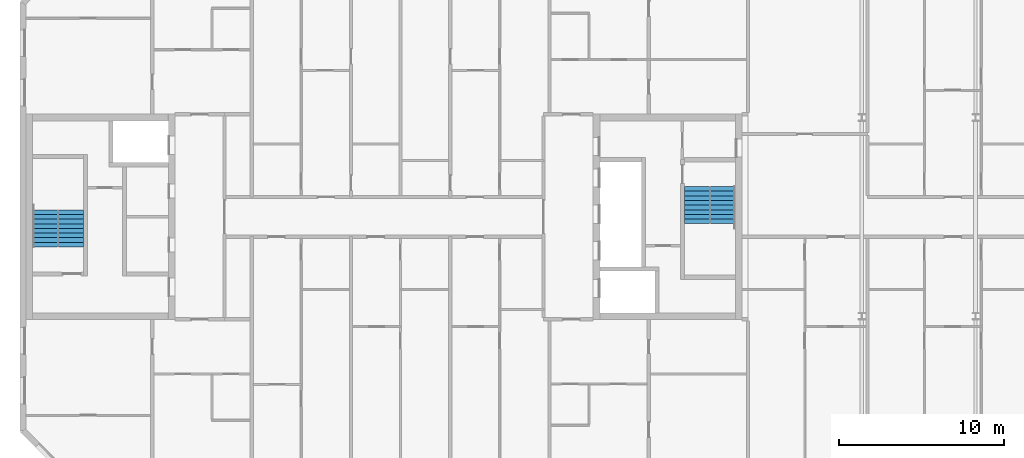
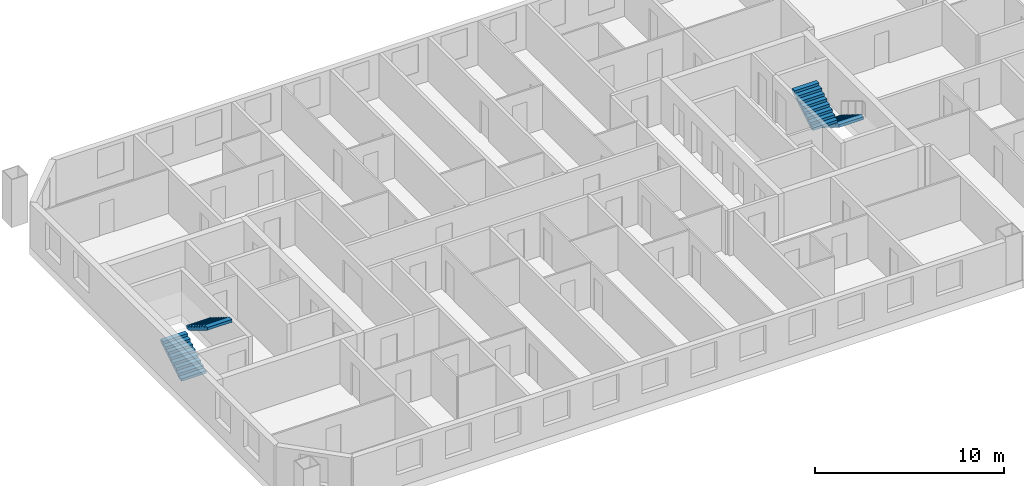
# One storey, part 18 of 19: 4 stair flights, 2 elements without a shape of their own.
"""IFC4 building model written with IfcOpenShell, lengths in metres."""

from ifc_helpers import new_model, si_unit, direction, frame, origin, place, context, subcontext, project, spatial, faceted_brep, material, type_object, element, aggregate, save


model = new_model("IFC4")

# Units and contexts
model_context = context("Model", 3, precision=1e-05, world=origin(), true_north=direction((0.0, 1.0)))
body_context = subcontext(model_context, "Body", "Model", "MODEL_VIEW")
ifc_project = project(units=[si_unit("LENGTHUNIT", "METRE"), si_unit("AREAUNIT", "SQUARE_METRE"), si_unit("VOLUMEUNIT", "CUBIC_METRE"), si_unit("PLANEANGLEUNIT", "RADIAN"), si_unit("MASSUNIT", "GRAM", prefix="KILO")], contexts=[model_context])

# Site, building, storey
site_placement = place(None, origin())
site = spatial("IfcSite", under=ifc_project, at=site_placement, CompositionType="ELEMENT")
building_placement = place(site_placement, origin())
building = spatial("IfcBuilding", under=site, at=building_placement, Name="Tuart Gate Housing", CompositionType="ELEMENT")
storey_placement = place(building_placement, frame((0.0, 0.0, 202.800048828125)))
storey = spatial("IfcBuildingStorey", under=building, at=storey_placement, Name="L57", CompositionType="ELEMENT", Elevation=202.800048828125)

# Stair, stair flights
ifc_material_1 = material(Name="Concrete C40", Category="concrete")
stair_type = type_object("IfcStairType", Name="Core stair 1500", PredefinedType="HALF_TURN_STAIR", material=ifc_material_1)
stair_1_placement = place(storey_placement, origin())
stair_1 = element("IfcStair", 1, at=stair_1_placement, inside=storey, type_object=stair_type, Name="Stair SA1", PredefinedType="HALF_TURN_STAIR")
ifc_material_2 = material(Name="Concrete C40", Category="concrete")
stair_flight_type = type_object("IfcStairFlightType", Name="Stair flight 1500, 9 risers 172 x 280", PredefinedType="STRAIGHT", material=ifc_material_2)
stair_flight_1_placement = place(storey_placement, frame((74.489990234375, 71.824951171875, 0.0), z_axis=(0.0, 0.0, 1.0), x_axis=(0.0, -1.0, 0.0)))
stair_flight_1 = element("IfcStairFlight", 2, at=stair_flight_1_placement, type_object=stair_flight_type, Name="SA1 flight 1", NumberOfRisers=9, NumberOfTreads=8, PredefinedType="STRAIGHT", RiserHeight=0.172222222, TreadLength=0.28, context=body_context, shape_type="Brep", body=[
    faceted_brep([(0.0, 0.75, 0.0), (0.0, 0.75, 0.172119140625), (0.280029296875, 0.75, 0.172119140625), (0.280029296875, 0.75, 0.344482421875), (0.56005859375, 0.75, 0.344482421875), (0.56005859375, 0.75, 0.5166015625), (0.840087890625, 0.75, 0.5166015625), (0.840087890625, 0.75, 0.68896484375), (1.1201171875, 0.75, 0.68896484375), (1.1201171875, 0.75, 0.861083984375), (1.39990234375, 0.75, 0.861083984375), (1.39990234375, 0.75, 1.033447265625), (1.679931640625, 0.75, 1.033447265625), (1.679931640625, 0.75, 1.20556640625), (1.9599609375, 0.75, 1.20556640625), (1.9599609375, 0.75, 1.377685546875), (2.239990234375, 0.75, 1.377685546875), (2.239990234375, 0.75, 1.201904296875), (0.2861328125, 0.75, 0.0), (0.2861328125, -0.75, 0.0), (2.239990234375, -0.75, 1.201904296875), (2.239990234375, -0.75, 1.377685546875), (1.9599609375, -0.75, 1.377685546875), (1.9599609375, -0.75, 1.20556640625), (1.679931640625, -0.75, 1.20556640625), (1.679931640625, -0.75, 1.033447265625), (1.39990234375, -0.75, 1.033447265625), (1.39990234375, -0.75, 0.861083984375), (1.1201171875, -0.75, 0.861083984375), (1.1201171875, -0.75, 0.68896484375), (0.840087890625, -0.75, 0.68896484375), (0.840087890625, -0.75, 0.5166015625), (0.56005859375, -0.75, 0.5166015625), (0.56005859375, -0.75, 0.344482421875), (0.280029296875, -0.75, 0.344482421875), (0.280029296875, -0.75, 0.172119140625), (0.0, -0.75, 0.172119140625), (0.0, -0.75, 0.0), (2.239990234375, 0.0, 1.201904296875), (0.2861328125, 0.0, 0.0), (2.239990234375, 0.0, 1.377685546875), (1.9599609375, 0.0, 1.377685546875), (1.9599609375, 0.0, 1.20556640625), (1.679931640625, 0.0, 1.20556640625), (1.679931640625, 0.0, 1.033447265625), (1.39990234375, 0.0, 1.033447265625), (1.39990234375, 0.0, 0.861083984375), (1.1201171875, 0.0, 0.861083984375), (1.1201171875, 0.0, 0.68896484375), (0.840087890625, 0.0, 0.68896484375), (0.840087890625, 0.0, 0.5166015625), (0.56005859375, 0.0, 0.5166015625), (0.56005859375, 0.0, 0.344482421875), (0.280029296875, 0.0, 0.344482421875), (0.280029296875, 0.0, 0.172119140625), (0.0, 0.0, 0.172119140625), (0.0, 0.0, 0.0)], [[[0, 1, 2, 3, 4, 5, 6, 7, 8, 9, 10, 11, 12, 13, 14, 15, 16, 17, 18]], [[19, 20, 21, 22, 23, 24, 25, 26, 27, 28, 29, 30, 31, 32, 33, 34, 35, 36, 37]], [[18, 17, 38, 39]], [[39, 38, 20, 19]], [[17, 16, 40, 38]], [[38, 40, 21, 20]], [[16, 15, 41, 40]], [[40, 41, 22, 21]], [[15, 14, 42, 41]], [[41, 42, 23, 22]], [[14, 13, 43, 42]], [[42, 43, 24, 23]], [[13, 12, 44, 43]], [[43, 44, 25, 24]], [[12, 11, 45, 44]], [[44, 45, 26, 25]], [[11, 10, 46, 45]], [[45, 46, 27, 26]], [[10, 9, 47, 46]], [[46, 47, 28, 27]], [[9, 8, 48, 47]], [[47, 48, 29, 28]], [[8, 7, 49, 48]], [[48, 49, 30, 29]], [[7, 6, 50, 49]], [[49, 50, 31, 30]], [[6, 5, 51, 50]], [[50, 51, 32, 31]], [[5, 4, 52, 51]], [[51, 52, 33, 32]], [[4, 3, 53, 52]], [[52, 53, 34, 33]], [[3, 2, 54, 53]], [[53, 54, 35, 34]], [[2, 1, 55, 54]], [[54, 55, 36, 35]], [[1, 0, 56, 55]], [[55, 56, 37, 36]], [[0, 18, 39, 56]], [[56, 39, 19, 37]]]),
])
stair_flight_2_placement = place(storey_placement, frame((72.9150390625, 69.5849609375, 1.550048828125), z_axis=(0.0, 0.0, 1.0), x_axis=(0.0, 1.0, 0.0)))
stair_flight_2 = element("IfcStairFlight", 3, at=stair_flight_2_placement, type_object=stair_flight_type, Name="SA1 flight 2", NumberOfRisers=9, NumberOfTreads=8, PredefinedType="STRAIGHT", RiserHeight=0.172222222, TreadLength=0.28, context=body_context, shape_type="Brep", body=[
    faceted_brep([(0.0, 0.75, 0.0), (0.0, 0.75, 0.172119140625), (0.280029296875, 0.75, 0.172119140625), (0.280029296875, 0.75, 0.344482421875), (0.56005859375, 0.75, 0.344482421875), (0.56005859375, 0.75, 0.5166015625), (0.840087890625, 0.75, 0.5166015625), (0.840087890625, 0.75, 0.68896484375), (1.1201171875, 0.75, 0.68896484375), (1.1201171875, 0.75, 0.861083984375), (1.39990234375, 0.75, 0.861083984375), (1.39990234375, 0.75, 1.033447265625), (1.679931640625, 0.75, 1.033447265625), (1.679931640625, 0.75, 1.20556640625), (1.9599609375, 0.75, 1.20556640625), (1.9599609375, 0.75, 1.377685546875), (2.239990234375, 0.75, 1.377685546875), (2.239990234375, 0.75, 1.201904296875), (0.2861328125, 0.75, 0.0), (0.2861328125, -0.75, 0.0), (2.239990234375, -0.75, 1.201904296875), (2.239990234375, -0.75, 1.377685546875), (1.9599609375, -0.75, 1.377685546875), (1.9599609375, -0.75, 1.20556640625), (1.679931640625, -0.75, 1.20556640625), (1.679931640625, -0.75, 1.033447265625), (1.39990234375, -0.75, 1.033447265625), (1.39990234375, -0.75, 0.861083984375), (1.1201171875, -0.75, 0.861083984375), (1.1201171875, -0.75, 0.68896484375), (0.840087890625, -0.75, 0.68896484375), (0.840087890625, -0.75, 0.5166015625), (0.56005859375, -0.75, 0.5166015625), (0.56005859375, -0.75, 0.344482421875), (0.280029296875, -0.75, 0.344482421875), (0.280029296875, -0.75, 0.172119140625), (0.0, -0.75, 0.172119140625), (0.0, -0.75, 0.0), (2.239990234375, 0.0, 1.201904296875), (0.2861328125, 0.0, 0.0), (2.239990234375, 0.0, 1.377685546875), (1.9599609375, 0.0, 1.377685546875), (1.9599609375, 0.0, 1.20556640625), (1.679931640625, 0.0, 1.20556640625), (1.679931640625, 0.0, 1.033447265625), (1.39990234375, 0.0, 1.033447265625), (1.39990234375, 0.0, 0.861083984375), (1.1201171875, 0.0, 0.861083984375), (1.1201171875, 0.0, 0.68896484375), (0.840087890625, 0.0, 0.68896484375), (0.840087890625, 0.0, 0.5166015625), (0.56005859375, 0.0, 0.5166015625), (0.56005859375, 0.0, 0.344482421875), (0.280029296875, 0.0, 0.344482421875), (0.280029296875, 0.0, 0.172119140625), (0.0, 0.0, 0.172119140625), (0.0, 0.0, 0.0)], [[[0, 1, 2, 3, 4, 5, 6, 7, 8, 9, 10, 11, 12, 13, 14, 15, 16, 17, 18]], [[19, 20, 21, 22, 23, 24, 25, 26, 27, 28, 29, 30, 31, 32, 33, 34, 35, 36, 37]], [[18, 17, 38, 39]], [[39, 38, 20, 19]], [[17, 16, 40, 38]], [[38, 40, 21, 20]], [[16, 15, 41, 40]], [[40, 41, 22, 21]], [[15, 14, 42, 41]], [[41, 42, 23, 22]], [[14, 13, 43, 42]], [[42, 43, 24, 23]], [[13, 12, 44, 43]], [[43, 44, 25, 24]], [[12, 11, 45, 44]], [[44, 45, 26, 25]], [[11, 10, 46, 45]], [[45, 46, 27, 26]], [[10, 9, 47, 46]], [[46, 47, 28, 27]], [[9, 8, 48, 47]], [[47, 48, 29, 28]], [[8, 7, 49, 48]], [[48, 49, 30, 29]], [[7, 6, 50, 49]], [[49, 50, 31, 30]], [[6, 5, 51, 50]], [[50, 51, 32, 31]], [[5, 4, 52, 51]], [[51, 52, 33, 32]], [[4, 3, 53, 52]], [[52, 53, 34, 33]], [[3, 2, 54, 53]], [[53, 54, 35, 34]], [[2, 1, 55, 54]], [[54, 55, 36, 35]], [[1, 0, 56, 55]], [[55, 56, 37, 36]], [[0, 18, 39, 56]], [[56, 39, 19, 37]]]),
])
aggregate(stair_1, [stair_flight_1, stair_flight_2])

stair_2_placement = place(storey_placement, origin())
stair_2 = element("IfcStair", 4, at=stair_2_placement, inside=storey, type_object=stair_type, Name="Stair SA2", PredefinedType="HALF_TURN_STAIR")
stair_flight_3_placement = place(storey_placement, frame((33.510009765625, 68.175048828125, 0.0), z_axis=(0.0, 0.0, 1.0), x_axis=(0.0, 1.0, 0.0)))
stair_flight_3 = element("IfcStairFlight", 5, at=stair_flight_3_placement, type_object=stair_flight_type, Name="SA2 flight 1", NumberOfRisers=9, NumberOfTreads=8, PredefinedType="STRAIGHT", RiserHeight=0.172222222, TreadLength=0.28, context=body_context, shape_type="Brep", body=[
    faceted_brep([(0.0, 0.75, 0.0), (0.0, 0.75, 0.172119140625), (0.280029296875, 0.75, 0.172119140625), (0.280029296875, 0.75, 0.344482421875), (0.56005859375, 0.75, 0.344482421875), (0.56005859375, 0.75, 0.5166015625), (0.840087890625, 0.75, 0.5166015625), (0.840087890625, 0.75, 0.68896484375), (1.1201171875, 0.75, 0.68896484375), (1.1201171875, 0.75, 0.861083984375), (1.39990234375, 0.75, 0.861083984375), (1.39990234375, 0.75, 1.033447265625), (1.679931640625, 0.75, 1.033447265625), (1.679931640625, 0.75, 1.20556640625), (1.9599609375, 0.75, 1.20556640625), (1.9599609375, 0.75, 1.377685546875), (2.239990234375, 0.75, 1.377685546875), (2.239990234375, 0.75, 1.201904296875), (0.2861328125, 0.75, 0.0), (0.2861328125, -0.75, 0.0), (2.239990234375, -0.75, 1.201904296875), (2.239990234375, -0.75, 1.377685546875), (1.9599609375, -0.75, 1.377685546875), (1.9599609375, -0.75, 1.20556640625), (1.679931640625, -0.75, 1.20556640625), (1.679931640625, -0.75, 1.033447265625), (1.39990234375, -0.75, 1.033447265625), (1.39990234375, -0.75, 0.861083984375), (1.1201171875, -0.75, 0.861083984375), (1.1201171875, -0.75, 0.68896484375), (0.840087890625, -0.75, 0.68896484375), (0.840087890625, -0.75, 0.5166015625), (0.56005859375, -0.75, 0.5166015625), (0.56005859375, -0.75, 0.344482421875), (0.280029296875, -0.75, 0.344482421875), (0.280029296875, -0.75, 0.172119140625), (0.0, -0.75, 0.172119140625), (0.0, -0.75, 0.0), (2.239990234375, 0.0, 1.201904296875), (0.2861328125, 0.0, 0.0), (2.239990234375, 0.0, 1.377685546875), (1.9599609375, 0.0, 1.377685546875), (1.9599609375, 0.0, 1.20556640625), (1.679931640625, 0.0, 1.20556640625), (1.679931640625, 0.0, 1.033447265625), (1.39990234375, 0.0, 1.033447265625), (1.39990234375, 0.0, 0.861083984375), (1.1201171875, 0.0, 0.861083984375), (1.1201171875, 0.0, 0.68896484375), (0.840087890625, 0.0, 0.68896484375), (0.840087890625, 0.0, 0.5166015625), (0.56005859375, 0.0, 0.5166015625), (0.56005859375, 0.0, 0.344482421875), (0.280029296875, 0.0, 0.344482421875), (0.280029296875, 0.0, 0.172119140625), (0.0, 0.0, 0.172119140625), (0.0, 0.0, 0.0)], [[[0, 1, 2, 3, 4, 5, 6, 7, 8, 9, 10, 11, 12, 13, 14, 15, 16, 17, 18]], [[19, 20, 21, 22, 23, 24, 25, 26, 27, 28, 29, 30, 31, 32, 33, 34, 35, 36, 37]], [[18, 17, 38, 39]], [[39, 38, 20, 19]], [[17, 16, 40, 38]], [[38, 40, 21, 20]], [[16, 15, 41, 40]], [[40, 41, 22, 21]], [[15, 14, 42, 41]], [[41, 42, 23, 22]], [[14, 13, 43, 42]], [[42, 43, 24, 23]], [[13, 12, 44, 43]], [[43, 44, 25, 24]], [[12, 11, 45, 44]], [[44, 45, 26, 25]], [[11, 10, 46, 45]], [[45, 46, 27, 26]], [[10, 9, 47, 46]], [[46, 47, 28, 27]], [[9, 8, 48, 47]], [[47, 48, 29, 28]], [[8, 7, 49, 48]], [[48, 49, 30, 29]], [[7, 6, 50, 49]], [[49, 50, 31, 30]], [[6, 5, 51, 50]], [[50, 51, 32, 31]], [[5, 4, 52, 51]], [[51, 52, 33, 32]], [[4, 3, 53, 52]], [[52, 53, 34, 33]], [[3, 2, 54, 53]], [[53, 54, 35, 34]], [[2, 1, 55, 54]], [[54, 55, 36, 35]], [[1, 0, 56, 55]], [[55, 56, 37, 36]], [[0, 18, 39, 56]], [[56, 39, 19, 37]]]),
])
stair_flight_4_placement = place(storey_placement, frame((35.0849609375, 70.4150390625, 1.550048828125), z_axis=(0.0, 0.0, 1.0), x_axis=(0.0, -1.0, 0.0)))
stair_flight_4 = element("IfcStairFlight", 6, at=stair_flight_4_placement, type_object=stair_flight_type, Name="SA2 flight 2", NumberOfRisers=9, NumberOfTreads=8, PredefinedType="STRAIGHT", RiserHeight=0.172222222, TreadLength=0.28, context=body_context, shape_type="Brep", body=[
    faceted_brep([(0.0, 0.75, 0.0), (0.0, 0.75, 0.172119140625), (0.280029296875, 0.75, 0.172119140625), (0.280029296875, 0.75, 0.344482421875), (0.56005859375, 0.75, 0.344482421875), (0.56005859375, 0.75, 0.5166015625), (0.840087890625, 0.75, 0.5166015625), (0.840087890625, 0.75, 0.68896484375), (1.1201171875, 0.75, 0.68896484375), (1.1201171875, 0.75, 0.861083984375), (1.39990234375, 0.75, 0.861083984375), (1.39990234375, 0.75, 1.033447265625), (1.679931640625, 0.75, 1.033447265625), (1.679931640625, 0.75, 1.20556640625), (1.9599609375, 0.75, 1.20556640625), (1.9599609375, 0.75, 1.377685546875), (2.239990234375, 0.75, 1.377685546875), (2.239990234375, 0.75, 1.201904296875), (0.2861328125, 0.75, 0.0), (0.2861328125, -0.75, 0.0), (2.239990234375, -0.75, 1.201904296875), (2.239990234375, -0.75, 1.377685546875), (1.9599609375, -0.75, 1.377685546875), (1.9599609375, -0.75, 1.20556640625), (1.679931640625, -0.75, 1.20556640625), (1.679931640625, -0.75, 1.033447265625), (1.39990234375, -0.75, 1.033447265625), (1.39990234375, -0.75, 0.861083984375), (1.1201171875, -0.75, 0.861083984375), (1.1201171875, -0.75, 0.68896484375), (0.840087890625, -0.75, 0.68896484375), (0.840087890625, -0.75, 0.5166015625), (0.56005859375, -0.75, 0.5166015625), (0.56005859375, -0.75, 0.344482421875), (0.280029296875, -0.75, 0.344482421875), (0.280029296875, -0.75, 0.172119140625), (0.0, -0.75, 0.172119140625), (0.0, -0.75, 0.0), (2.239990234375, 0.0, 1.201904296875), (0.2861328125, 0.0, 0.0), (2.239990234375, 0.0, 1.377685546875), (1.9599609375, 0.0, 1.377685546875), (1.9599609375, 0.0, 1.20556640625), (1.679931640625, 0.0, 1.20556640625), (1.679931640625, 0.0, 1.033447265625), (1.39990234375, 0.0, 1.033447265625), (1.39990234375, 0.0, 0.861083984375), (1.1201171875, 0.0, 0.861083984375), (1.1201171875, 0.0, 0.68896484375), (0.840087890625, 0.0, 0.68896484375), (0.840087890625, 0.0, 0.5166015625), (0.56005859375, 0.0, 0.5166015625), (0.56005859375, 0.0, 0.344482421875), (0.280029296875, 0.0, 0.344482421875), (0.280029296875, 0.0, 0.172119140625), (0.0, 0.0, 0.172119140625), (0.0, 0.0, 0.0)], [[[0, 1, 2, 3, 4, 5, 6, 7, 8, 9, 10, 11, 12, 13, 14, 15, 16, 17, 18]], [[19, 20, 21, 22, 23, 24, 25, 26, 27, 28, 29, 30, 31, 32, 33, 34, 35, 36, 37]], [[18, 17, 38, 39]], [[39, 38, 20, 19]], [[17, 16, 40, 38]], [[38, 40, 21, 20]], [[16, 15, 41, 40]], [[40, 41, 22, 21]], [[15, 14, 42, 41]], [[41, 42, 23, 22]], [[14, 13, 43, 42]], [[42, 43, 24, 23]], [[13, 12, 44, 43]], [[43, 44, 25, 24]], [[12, 11, 45, 44]], [[44, 45, 26, 25]], [[11, 10, 46, 45]], [[45, 46, 27, 26]], [[10, 9, 47, 46]], [[46, 47, 28, 27]], [[9, 8, 48, 47]], [[47, 48, 29, 28]], [[8, 7, 49, 48]], [[48, 49, 30, 29]], [[7, 6, 50, 49]], [[49, 50, 31, 30]], [[6, 5, 51, 50]], [[50, 51, 32, 31]], [[5, 4, 52, 51]], [[51, 52, 33, 32]], [[4, 3, 53, 52]], [[52, 53, 34, 33]], [[3, 2, 54, 53]], [[53, 54, 35, 34]], [[2, 1, 55, 54]], [[54, 55, 36, 35]], [[1, 0, 56, 55]], [[55, 56, 37, 36]], [[0, 18, 39, 56]], [[56, 39, 19, 37]]]),
])
aggregate(stair_2, [stair_flight_3, stair_flight_4])

save(model, "model.ifc")
